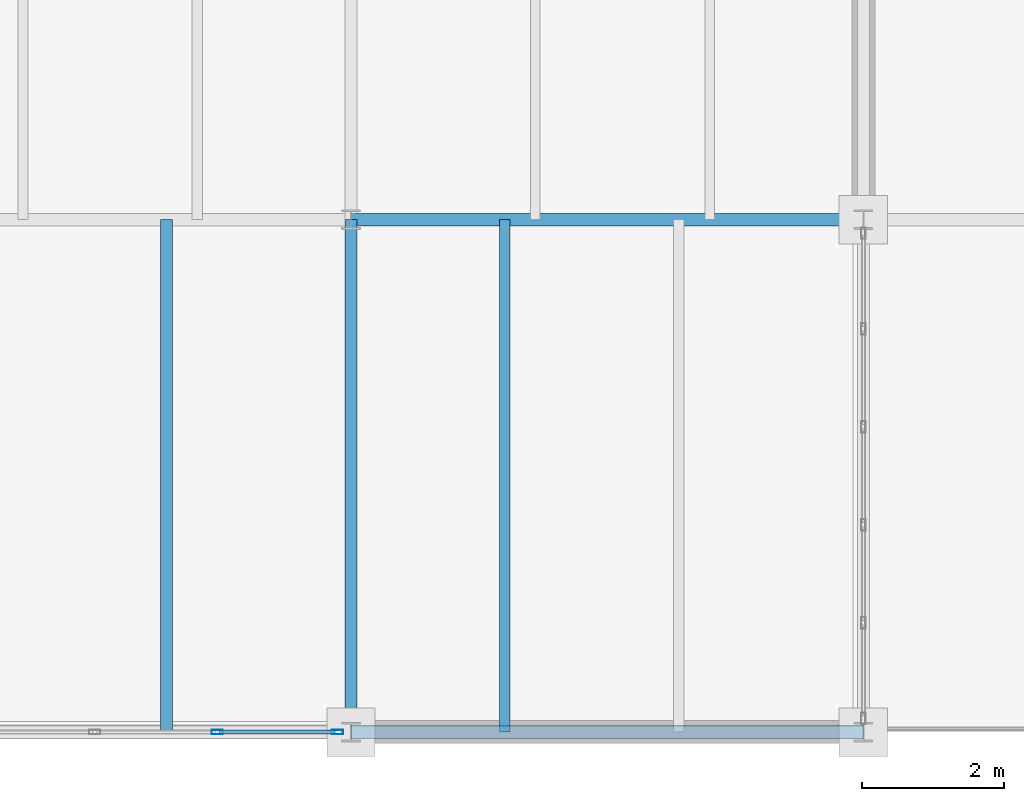
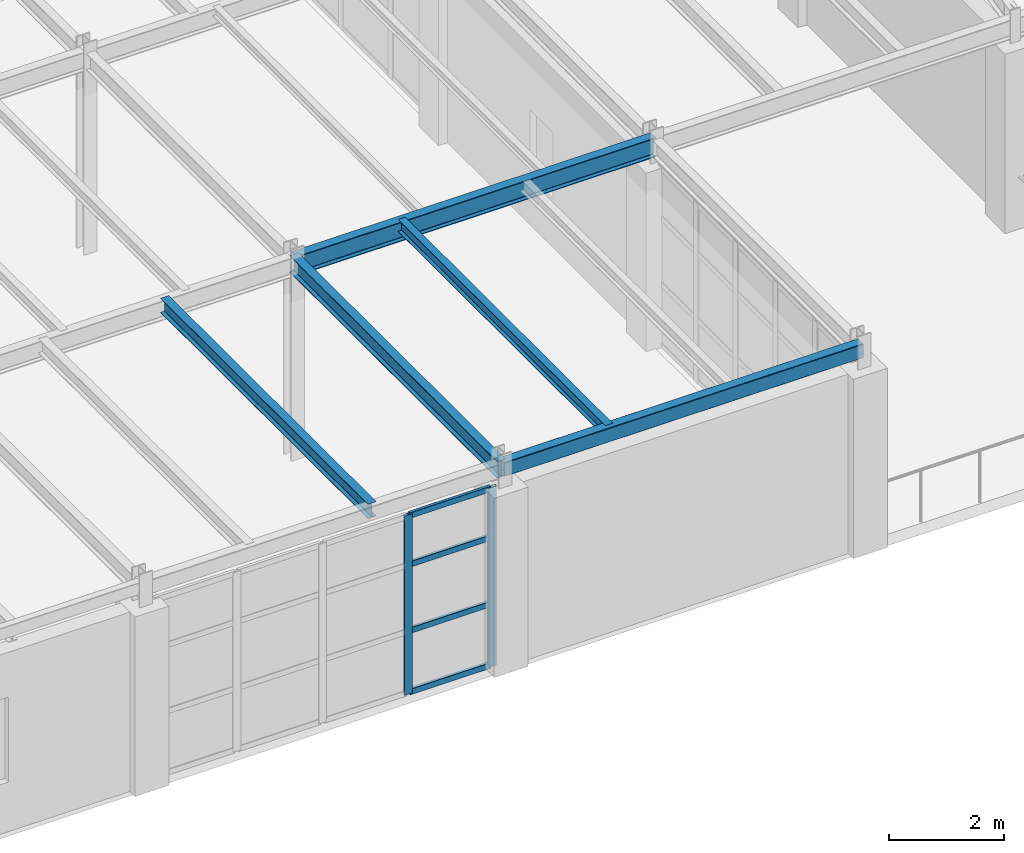
# One storey, part 25 of 101: 6 members, 5 beams, 1 element without a shape of its own.
"""IFC4 building model written with IfcOpenShell, lengths in metres."""

from ifc_helpers import new_model, si_unit, direction, frame, origin, origin_2d, place, context, subcontext, project, spatial, hollow_rectangle, i_section, extrude, material, layer, layer_set, material_profile, profile_set, type_object, element, aggregate, save


model = new_model("IFC4")

# Units and contexts
model_context = context("Model", 3, precision=1e-05, world=origin(), true_north=direction((0.0, 1.0)))
body_context = subcontext(model_context, "Body", "Model", "MODEL_VIEW")
ifc_project = project(units=[si_unit("LENGTHUNIT", "METRE"), si_unit("AREAUNIT", "SQUARE_METRE"), si_unit("VOLUMEUNIT", "CUBIC_METRE"), si_unit("PLANEANGLEUNIT", "RADIAN"), si_unit("MASSUNIT", "GRAM", prefix="KILO")], contexts=[model_context])

# Site, building, storey
site_placement = place(None, origin())
site = spatial("IfcSite", under=ifc_project, at=site_placement, CompositionType="ELEMENT")
building_placement = place(site_placement, origin())
building = spatial("IfcBuilding", under=site, at=building_placement, Name="Kemerveld Promenade Tramway Depot", CompositionType="ELEMENT")
storey_placement = place(building_placement, frame((0.0, 0.0, 9.89990234375)))
storey = spatial("IfcBuildingStorey", under=building, at=storey_placement, Name="L02", CompositionType="ELEMENT", Elevation=9.89990234375)

# Beams
ifc_material_1 = material(Name="Steel S355", Category="steel")
ifc_material_profile_1 = material_profile(ifc_material_1, i_section(OverallWidth=0.1787109375, OverallDepth=0.409423828125, WebThickness=0.0087890625, FlangeThickness=0.014404296875, FilletRadius=0.01025390625, at=origin_2d()), Name="406x178x67 UB")
ifc_profile_set_1 = profile_set([ifc_material_profile_1], Name="Steel S355")
beam_type_1 = type_object("IfcBeamType", Name="BM-G07", PredefinedType="BEAM", material=ifc_profile_set_1)
beam_1_placement = place(storey_placement, frame((43.199951171875, 7.199951171875, 4.080322265625), z_axis=(1.0, 0.0, 0.0), x_axis=(0.0, 1.0, 0.0)))
element("IfcBeam", 1, at=beam_1_placement, inside=storey, type_object=beam_type_1, Name="BMX-L02-07-08-B", PredefinedType="BEAM", context=body_context, shape_type="SweptSolid", body=[
    extrude(i_section(OverallWidth=0.1787109375, OverallDepth=0.409423828125, WebThickness=0.0087890625, FlangeThickness=0.014404296875, FilletRadius=0.01025390625, at=origin_2d()), origin(), (0.0, 0.0, 1.0), 7.199951171875),
])
ifc_material_profile_2 = material_profile(ifc_material_1, i_section(OverallWidth=0.172119140625, OverallDepth=0.35791015625, WebThickness=0.008056640625, FlangeThickness=0.012939453125, FilletRadius=0.01025390625, at=origin_2d()), Name="356x171x57 UB")
ifc_profile_set_2 = profile_set([ifc_material_profile_2], Name="Steel S355")
beam_type_2 = type_object("IfcBeamType", Name="BM-G08", PredefinedType="BEAM", material=ifc_profile_set_2)
beam_2_placement = place(storey_placement, frame((43.199951171875, 0.0, 4.106201171875), z_axis=(0.0, 1.0, 0.0), x_axis=(-1.0, 0.0, 0.0)))
element("IfcBeam", 2, at=beam_2_placement, inside=storey, type_object=beam_type_2, Name="BMY-L02-07-A-B", PredefinedType="BEAM", context=body_context, shape_type="SweptSolid", body=[
    extrude(i_section(OverallWidth=0.172119140625, OverallDepth=0.35791015625, WebThickness=0.008056640625, FlangeThickness=0.012939453125, FilletRadius=0.01025390625, at=origin_2d()), origin(), (0.0, 0.0, 1.0), 7.199951171875),
])
ifc_material_profile_3 = material_profile(ifc_material_1, i_section(OverallWidth=0.165771484375, OverallDepth=0.306640625, WebThickness=0.006591796875, FlangeThickness=0.01171875, FilletRadius=0.0087890625, at=origin_2d()), Name="305x165x46 UB")
ifc_profile_set_3 = profile_set([ifc_material_profile_3], Name="Steel S355")
beam_type_3 = type_object("IfcBeamType", Name="BM-J01", PredefinedType="JOIST", material=ifc_profile_set_3)
beam_3_placement = place(storey_placement, frame((40.60791015625, 0.0, 4.1318359375), z_axis=(0.0, 1.0, 0.0), x_axis=(-1.0, 0.0, 0.0)))
element("IfcBeam", 3, at=beam_3_placement, inside=storey, type_object=beam_type_3, Name="JST-L02-06-A-2", PredefinedType="JOIST", context=body_context, shape_type="SweptSolid", body=[
    extrude(i_section(OverallWidth=0.165771484375, OverallDepth=0.306640625, WebThickness=0.006591796875, FlangeThickness=0.01171875, FilletRadius=0.0087890625, at=origin_2d()), origin(), (0.0, 0.0, 1.0), 7.199951171875),
])
ifc_material_profile_4 = material_profile(ifc_material_1, i_section(OverallWidth=0.146484375, OverallDepth=0.256103515625, WebThickness=0.00634765625, FlangeThickness=0.010986328125, FilletRadius=0.007568359375, at=origin_2d()), Name="254x146x37 UB")
ifc_profile_set_4 = profile_set([ifc_material_profile_4], Name="Steel S355")
beam_type_4 = type_object("IfcBeamType", Name="BM-J02", PredefinedType="JOIST", material=ifc_profile_set_4)
beam_4_placement = place(storey_placement, frame((45.360107421875, 0.0, 4.156982421875), z_axis=(0.0, 1.0, 0.0), x_axis=(-1.0, 0.0, 0.0)))
element("IfcBeam", 4, at=beam_4_placement, inside=storey, type_object=beam_type_4, Name="JST-L02-07-A-1", PredefinedType="JOIST", context=body_context, shape_type="SweptSolid", body=[
    extrude(i_section(OverallWidth=0.146484375, OverallDepth=0.256103515625, WebThickness=0.00634765625, FlangeThickness=0.010986328125, FilletRadius=0.007568359375, at=origin_2d()), origin(), (0.0, 0.0, 1.0), 7.199951171875),
])
ifc_material_profile_5 = material_profile(ifc_material_1, hollow_rectangle(XDim=0.199951171875, YDim=0.300048828125, WallThickness=0.012451171875, InnerFilletRadius=0.00634765625, OuterFilletRadius=0.018798828125, at=origin_2d()), Name="300x200x12.5 RHS")
ifc_profile_set_5 = profile_set([ifc_material_profile_5], Name="Steel S355")
beam_type_5 = type_object("IfcBeamType", Name="BM-SP1", PredefinedType="SPANDREL", material=ifc_profile_set_5)
beam_5_placement = place(storey_placement, frame((43.199951171875, 0.0, 4.135009765625), z_axis=(1.0, 0.0, 0.0), x_axis=(0.0, 1.0, 0.0)))
element("IfcBeam", 5, at=beam_5_placement, inside=storey, type_object=beam_type_5, Name="BMX-L02-07-08-A", PredefinedType="SPANDREL", context=body_context, shape_type="SweptSolid", body=[
    extrude(hollow_rectangle(XDim=0.199951171875, YDim=0.300048828125, WallThickness=0.012451171875, InnerFilletRadius=0.00634765625, OuterFilletRadius=0.018798828125, at=origin_2d()), origin(), (0.0, 0.0, 1.0), 7.199951171875),
])

# Curtain wall, members
ifc_material_2 = material(Name="Bronze anodised aluminium and solar glass", Category="aluminium")
ifc_layer = layer(ifc_material_2, 0.159912109375)
ifc_layer_set = layer_set([ifc_layer], Name="CW-SYS-05")
curtain_wall_type = type_object("IfcCurtainWallType", Name="CW-SYS-05", PredefinedType="USERDEFINED", material=ifc_layer_set)
curtain_wall_placement = place(storey_placement, origin())
curtain_wall = element("IfcCurtainWall", 6, at=curtain_wall_placement, inside=storey, type_object=curtain_wall_type, Name="CW-L02-V5S-02", ObjectType="GLAZED_CURTAIN_WALL", PredefinedType="USERDEFINED")
ifc_material_3 = material(Name="Bronze anodised aluminium", Category="aluminium")
ifc_material_profile_6 = material_profile(ifc_material_3, hollow_rectangle(XDim=0.06494140625, YDim=0.159912109375, WallThickness=0.00390625, InnerFilletRadius=0.001953125, OuterFilletRadius=0.00390625, at=origin_2d()), Name="CW-MUL-160x65")
ifc_profile_set_6 = profile_set([ifc_material_profile_6], Name="Bronze anodised aluminium")
member_type_1 = type_object("IfcMemberType", Name="CW-MUL-A", PredefinedType="MULLION", material=ifc_profile_set_6)
member_1_placement = place(storey_placement, frame((43.009521484375, 0.0, 0.0), z_axis=(0.0, 0.0, 1.0), x_axis=(0.0, -1.0, 0.0)))
member_1 = element("IfcMember", 7, at=member_1_placement, type_object=member_type_1, Name="CW05 mullion 1", PredefinedType="MULLION", context=body_context, shape_type="SweptSolid", body=[
    extrude(hollow_rectangle(XDim=0.06494140625, YDim=0.159912109375, WallThickness=0.00390625, InnerFilletRadius=0.001953125, OuterFilletRadius=0.00390625, at=origin_2d()), origin(), (0.0, 0.0, 1.0), 3.800048828125),
])
member_2_placement = place(storey_placement, frame((41.321044921875, 0.0, 0.0), z_axis=(0.0, 0.0, 1.0), x_axis=(0.0, -1.0, 0.0)))
member_2 = element("IfcMember", 8, at=member_2_placement, type_object=member_type_1, Name="CW05 mullion 2", PredefinedType="MULLION", context=body_context, shape_type="SweptSolid", body=[
    extrude(hollow_rectangle(XDim=0.06494140625, YDim=0.159912109375, WallThickness=0.00390625, InnerFilletRadius=0.001953125, OuterFilletRadius=0.00390625, at=origin_2d()), origin(), (0.0, 0.0, 1.0), 3.800048828125),
])
ifc_material_profile_7 = material_profile(ifc_material_3, hollow_rectangle(XDim=0.06005859375, YDim=0.1201171875, WallThickness=0.00390625, InnerFilletRadius=0.001953125, OuterFilletRadius=0.00390625, at=origin_2d()), Name="CW-TRN-120x60")
ifc_profile_set_7 = profile_set([ifc_material_profile_7], Name="Bronze anodised aluminium")
member_type_2 = type_object("IfcMemberType", Name="CW-TRN-A", PredefinedType="USERDEFINED", material=ifc_profile_set_7)
member_3_placement = place(storey_placement, frame((42.976806640625, 0.0, 0.030029296875), z_axis=(-1.0, 0.0, 0.0), x_axis=(0.0, -1.0, 0.0)))
member_3 = element("IfcMember", 9, at=member_3_placement, type_object=member_type_2, Name="CW05 transom 1.1", ObjectType="TRANSOM", PredefinedType="USERDEFINED", context=body_context, shape_type="SweptSolid", body=[
    extrude(hollow_rectangle(XDim=0.06005859375, YDim=0.1201171875, WallThickness=0.00390625, InnerFilletRadius=0.001953125, OuterFilletRadius=0.00390625, at=origin_2d()), origin(), (0.0, 0.0, 1.0), 1.623291015625),
])
member_4_placement = place(storey_placement, frame((42.976806640625, 0.0, 1.330078125), z_axis=(-1.0, 0.0, 0.0), x_axis=(0.0, -1.0, 0.0)))
member_4 = element("IfcMember", 10, at=member_4_placement, type_object=member_type_2, Name="CW05 transom 1.2", ObjectType="TRANSOM", PredefinedType="USERDEFINED", context=body_context, shape_type="SweptSolid", body=[
    extrude(hollow_rectangle(XDim=0.06005859375, YDim=0.1201171875, WallThickness=0.00390625, InnerFilletRadius=0.001953125, OuterFilletRadius=0.00390625, at=origin_2d()), origin(), (0.0, 0.0, 1.0), 1.623291015625),
])
member_5_placement = place(storey_placement, frame((42.976806640625, 0.0, 2.736083984375), z_axis=(-1.0, 0.0, 0.0), x_axis=(0.0, -1.0, 0.0)))
member_5 = element("IfcMember", 11, at=member_5_placement, type_object=member_type_2, Name="CW05 transom 1.3", ObjectType="TRANSOM", PredefinedType="USERDEFINED", context=body_context, shape_type="SweptSolid", body=[
    extrude(hollow_rectangle(XDim=0.06005859375, YDim=0.1201171875, WallThickness=0.00390625, InnerFilletRadius=0.001953125, OuterFilletRadius=0.00390625, at=origin_2d()), origin(), (0.0, 0.0, 1.0), 1.623291015625),
])
member_6_placement = place(storey_placement, frame((42.976806640625, 0.0, 3.77001953125), z_axis=(-1.0, 0.0, 0.0), x_axis=(0.0, -1.0, 0.0)))
member_6 = element("IfcMember", 12, at=member_6_placement, type_object=member_type_2, Name="CW05 transom 1.4", ObjectType="TRANSOM", PredefinedType="USERDEFINED", context=body_context, shape_type="SweptSolid", body=[
    extrude(hollow_rectangle(XDim=0.06005859375, YDim=0.1201171875, WallThickness=0.00390625, InnerFilletRadius=0.001953125, OuterFilletRadius=0.00390625, at=origin_2d()), origin(), (0.0, 0.0, 1.0), 1.623291015625),
])
aggregate(curtain_wall, [member_1, member_2, member_3, member_4, member_5, member_6])

save(model, "model.ifc")
